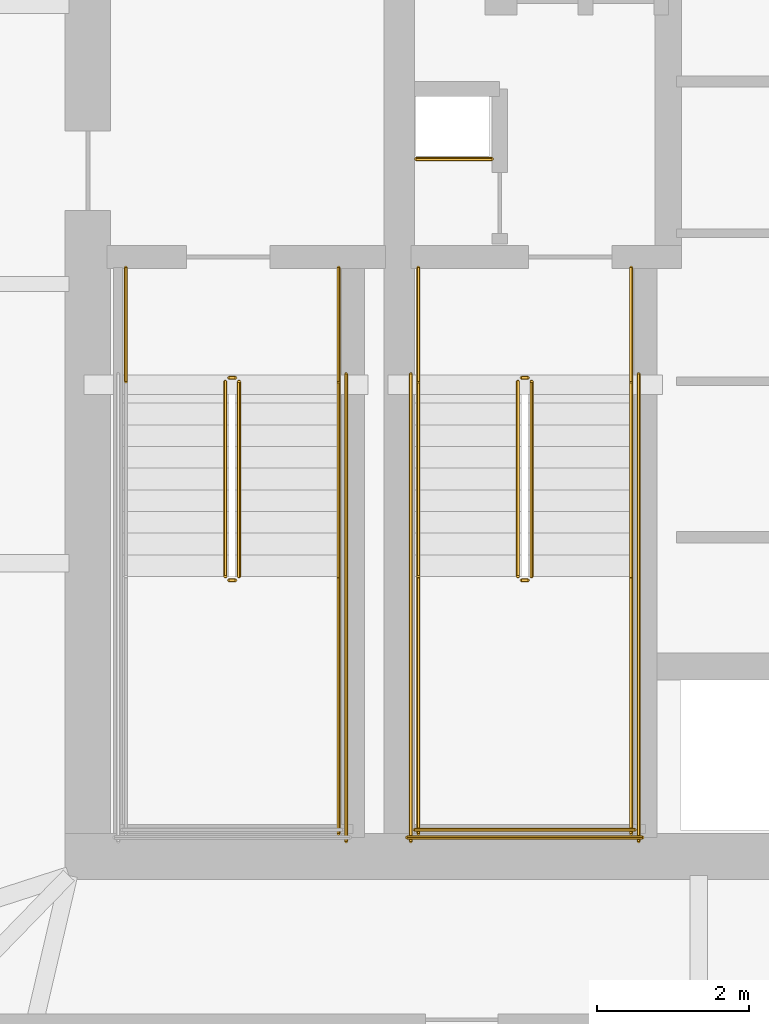
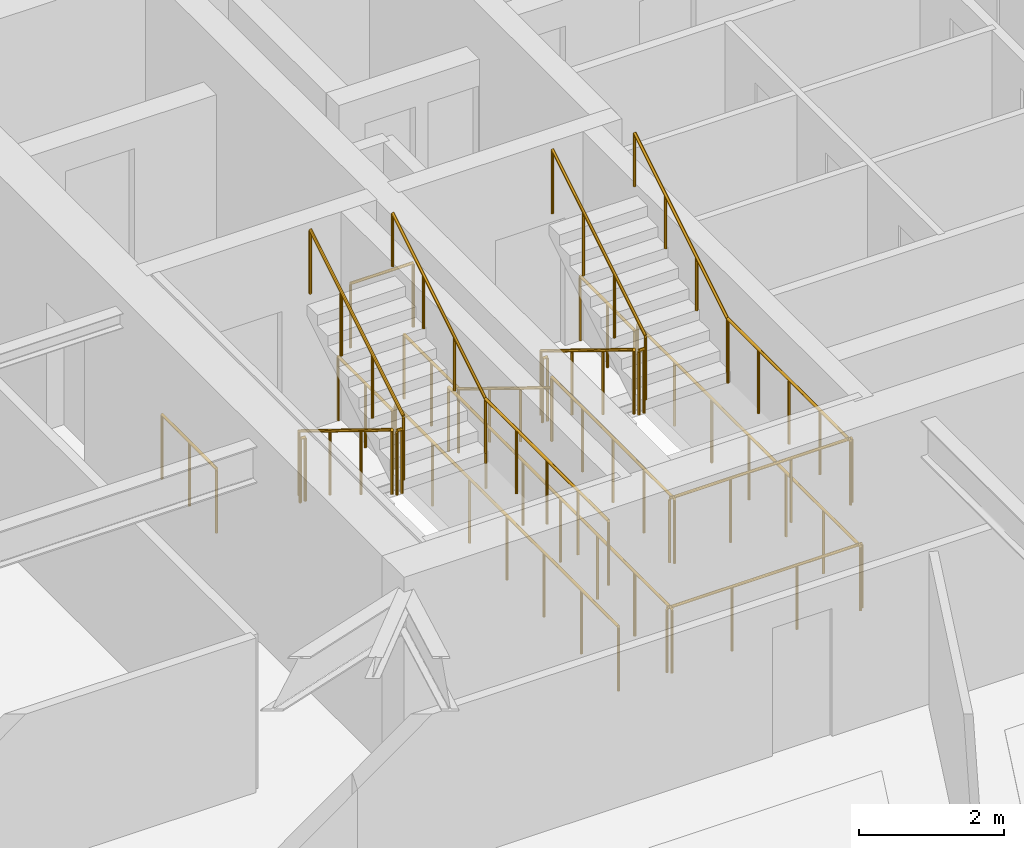
# One storey, part 21 of 23: 24 railings.
"""IFC4 building model written with IfcOpenShell, lengths in metres."""

from ifc_helpers import new_model, si_unit, direction, frame, origin, origin_2d, place, context, subcontext, project, spatial, circle, extrude, material, type_object, element, save


model = new_model("IFC4")

# Units and contexts
model_context = context("Model", 3, precision=1e-05, world=origin(), true_north=direction((0.0, 1.0)))
body_context = subcontext(model_context, "Body", "Model", "MODEL_VIEW")
ifc_project = project(units=[si_unit("LENGTHUNIT", "METRE"), si_unit("AREAUNIT", "SQUARE_METRE"), si_unit("VOLUMEUNIT", "CUBIC_METRE"), si_unit("PLANEANGLEUNIT", "RADIAN"), si_unit("MASSUNIT", "GRAM", prefix="KILO")], contexts=[model_context])

# Site, building, storey
site_placement = place(None, origin())
site = spatial("IfcSite", under=ifc_project, at=site_placement, CompositionType="ELEMENT")
building_placement = place(site_placement, origin())
building = spatial("IfcBuilding", under=site, at=building_placement, Name="Bramvorn Convention Spire", CompositionType="ELEMENT")
storey_placement = place(building_placement, frame((0.0, 0.0, 65.89990234375)))
storey = spatial("IfcBuildingStorey", under=building, at=storey_placement, Name="L14", CompositionType="ELEMENT", Elevation=65.89990234375)

# Railings
ifc_material_1 = material(Name="Painted Steel Balustrade & Guardrail", Category="steel")
railing_type_1 = type_object("IfcRailingType", Name="RL-STAIR-GUARD-1100", PredefinedType="GUARDRAIL", material=ifc_material_1)
railing_1_placement = place(storey_placement, frame((28.81005859375, 25.050048828125, 0.175048828125)))
element("IfcRailing", 1, at=railing_1_placement, inside=storey, type_object=railing_type_1, Name="L14 ST1 stair guard 1", PredefinedType="GUARDRAIL", context=body_context, shape_type="SweptSolid", body=[
    extrude(circle(Radius=0.02392578125, at=origin_2d()), frame((0.0, 0.0, 1.076171875), z_axis=(0.0, -0.852173129349, 0.523259933127), x_axis=(1.0, 0.0, 0.0)), (0.0, 0.0, 1.0), 3.009765625),
    extrude(circle(Radius=0.02099609375, at=origin_2d()), origin(), (0.0, 0.0, 1.0), 1.052001953125),
    extrude(circle(Radius=0.02099609375, at=origin_2d()), frame((0.0, -0.85498046875, 0.52490234375)), (0.0, 0.0, 1.0), 1.052001953125),
    extrude(circle(Radius=0.02099609375, at=origin_2d()), frame((0.0, -1.7099609375, 1.050048828125)), (0.0, 0.0, 1.0), 1.052001953125),
    extrude(circle(Radius=0.02099609375, at=origin_2d()), frame((0.0, -2.56494140625, 1.574951171875)), (0.0, 0.0, 1.0), 1.052001953125),
])
railing_2_placement = place(storey_placement, frame((28.860107421875, 22.43505859375, 1.75)))
element("IfcRailing", 2, at=railing_2_placement, inside=storey, type_object=railing_type_1, Name="L14 ST1 stair guard 2", PredefinedType="GUARDRAIL", context=body_context, shape_type="SweptSolid", body=[
    extrude(circle(Radius=0.02392578125, at=origin_2d()), frame((0.0, 0.0, 1.076171875), z_axis=(1.0, 0.0, 0.0), x_axis=(0.0, 1.0, 0.0)), (0.0, 0.0, 1.0), 0.079833984375),
    extrude(circle(Radius=0.02099609375, at=origin_2d()), origin(), (0.0, 0.0, 1.0), 1.052001953125),
    extrude(circle(Radius=0.02099609375, at=origin_2d()), frame((0.079833984375, 0.0, 0.0)), (0.0, 0.0, 1.0), 1.052001953125),
])
railing_3_placement = place(storey_placement, frame((30.300048828125, 22.485107421875, 1.75)))
element("IfcRailing", 3, at=railing_3_placement, inside=storey, type_object=railing_type_1, Name="L14 ST1 stair guard 4", PredefinedType="GUARDRAIL", context=body_context, shape_type="SweptSolid", body=[
    extrude(circle(Radius=0.02392578125, at=origin_2d()), frame((0.0, 0.0, 1.076171875), z_axis=(0.0, -1.0, 0.0), x_axis=(1.0, 0.0, 0.0)), (0.0, 0.0, 1.0), 3.385009765625),
    extrude(circle(Radius=0.02099609375, at=origin_2d()), origin(), (0.0, 0.0, 1.0), 1.052001953125),
    extrude(circle(Radius=0.02099609375, at=origin_2d()), frame((0.0, -0.84619140625, 0.0)), (0.0, 0.0, 1.0), 1.052001953125),
    extrude(circle(Radius=0.02099609375, at=origin_2d()), frame((0.0, -1.6923828125, 0.0)), (0.0, 0.0, 1.0), 1.052001953125),
    extrude(circle(Radius=0.02099609375, at=origin_2d()), frame((0.0, -2.538818359375, 0.0)), (0.0, 0.0, 1.0), 1.052001953125),
    extrude(circle(Radius=0.02099609375, at=origin_2d()), frame((0.0, -3.385009765625, 0.0)), (0.0, 0.0, 1.0), 1.052001953125),
])
railing_4_placement = place(storey_placement, frame((28.989990234375, 22.485107421875, 1.925048828125)))
element("IfcRailing", 4, at=railing_4_placement, inside=storey, type_object=railing_type_1, Name="L14 ST1 stair guard 6", PredefinedType="GUARDRAIL", context=body_context, shape_type="SweptSolid", body=[
    extrude(circle(Radius=0.02392578125, at=origin_2d()), frame((0.0, 0.0, 1.076171875), z_axis=(0.0, 0.852173129349, 0.523259933127), x_axis=(-1.0, 0.0, 0.0)), (0.0, 0.0, 1.0), 3.009765625),
    extrude(circle(Radius=0.02099609375, at=origin_2d()), origin(), (0.0, 0.0, 1.0), 1.052001953125),
    extrude(circle(Radius=0.02099609375, at=origin_2d()), frame((0.0, 0.85498046875, 0.52490234375)), (0.0, 0.0, 1.0), 1.052001953125),
    extrude(circle(Radius=0.02099609375, at=origin_2d()), frame((0.0, 1.7099609375, 1.050048828125)), (0.0, 0.0, 1.0), 1.052001953125),
    extrude(circle(Radius=0.02099609375, at=origin_2d()), frame((0.0, 2.56494140625, 1.574951171875)), (0.0, 0.0, 1.0), 1.052001953125),
])
railing_5_placement = place(storey_placement, frame((28.860107421875, 25.10009765625, 0.0)))
element("IfcRailing", 5, at=railing_5_placement, inside=storey, type_object=railing_type_1, Name="L14 ST1 stair guard 7", PredefinedType="GUARDRAIL", context=body_context, shape_type="SweptSolid", body=[
    extrude(circle(Radius=0.02392578125, at=origin_2d()), frame((0.0, 0.0, 1.076171875), z_axis=(1.0, 0.0, 0.0), x_axis=(0.0, 1.0, 0.0)), (0.0, 0.0, 1.0), 0.079833984375),
    extrude(circle(Radius=0.02099609375, at=origin_2d()), origin(), (0.0, 0.0, 1.0), 1.052001953125),
    extrude(circle(Radius=0.02099609375, at=origin_2d()), frame((0.079833984375, 0.0, 0.0)), (0.0, 0.0, 1.0), 1.052001953125),
])
for number, where, name in (
    (6, (27.5, 26.550048828125, 0.0), "L14 ST1 stair guard 8"),
    (7, (30.300048828125, 26.550048828125, 0.0), "L14 ST1 stair guard 9"),
):
    element("IfcRailing", number, at=place(storey_placement, frame(where)), inside=storey, type_object=railing_type_1, Name=name, PredefinedType="GUARDRAIL", context=body_context, shape_type="SweptSolid", body=[
        extrude(circle(Radius=0.02392578125, at=origin_2d()), frame((0.0, 0.0, 1.076171875), z_axis=(0.0, -1.0, 0.0), x_axis=(1.0, 0.0, 0.0)), (0.0, 0.0, 1.0), 1.5),
        extrude(circle(Radius=0.02099609375, at=origin_2d()), origin(), (0.0, 0.0, 1.0), 1.052001953125),
        extrude(circle(Radius=0.02099609375, at=origin_2d()), frame((0.0, -0.75, 0.0)), (0.0, 0.0, 1.0), 1.052001953125),
        extrude(circle(Radius=0.02099609375, at=origin_2d()), frame((0.0, -1.5, 0.0)), (0.0, 0.0, 1.0), 1.052001953125),
    ])
railing_6_placement = place(storey_placement, frame((30.39990234375, 25.14990234375, 0.0)))
element("IfcRailing", 8, at=railing_6_placement, inside=storey, type_object=railing_type_1, Name="L14 ST1 stair guard 11", PredefinedType="GUARDRAIL", context=body_context, shape_type="SweptSolid", body=[
    extrude(circle(Radius=0.02392578125, at=origin_2d()), frame((0.0, 0.0, 1.076171875), z_axis=(0.0, -1.0, 0.0), x_axis=(1.0, 0.0, 0.0)), (0.0, 0.0, 1.0), 6.14990234375),
    extrude(circle(Radius=0.02099609375, at=origin_2d()), origin(), (0.0, 0.0, 1.0), 1.052001953125),
    extrude(circle(Radius=0.02099609375, at=origin_2d()), frame((0.0, -1.02490234375, 0.0)), (0.0, 0.0, 1.0), 1.052001953125),
    extrude(circle(Radius=0.02099609375, at=origin_2d()), frame((0.0, -2.050048828125, 0.0)), (0.0, 0.0, 1.0), 1.052001953125),
    extrude(circle(Radius=0.02099609375, at=origin_2d()), frame((0.0, -3.074951171875, 0.0)), (0.0, 0.0, 1.0), 1.052001953125),
    extrude(circle(Radius=0.02099609375, at=origin_2d()), frame((0.0, -4.099853515625, 0.0)), (0.0, 0.0, 1.0), 1.052001953125),
    extrude(circle(Radius=0.02099609375, at=origin_2d()), frame((0.0, -5.125, 0.0)), (0.0, 0.0, 1.0), 1.052001953125),
    extrude(circle(Radius=0.02099609375, at=origin_2d()), frame((0.0, -6.14990234375, 0.0)), (0.0, 0.0, 1.0), 1.052001953125),
])
railing_7_placement = place(storey_placement, frame((32.659912109375, 25.050048828125, 0.175048828125)))
element("IfcRailing", 9, at=railing_7_placement, inside=storey, type_object=railing_type_1, Name="L14 ST3 stair guard 1", PredefinedType="GUARDRAIL", context=body_context, shape_type="SweptSolid", body=[
    extrude(circle(Radius=0.02392578125, at=origin_2d()), frame((0.0, 0.0, 1.076171875), z_axis=(0.0, -0.852173129349, 0.523259933127), x_axis=(1.0, 0.0, 0.0)), (0.0, 0.0, 1.0), 3.009765625),
    extrude(circle(Radius=0.02099609375, at=origin_2d()), origin(), (0.0, 0.0, 1.0), 1.052001953125),
    extrude(circle(Radius=0.02099609375, at=origin_2d()), frame((0.0, -0.85498046875, 0.52490234375)), (0.0, 0.0, 1.0), 1.052001953125),
    extrude(circle(Radius=0.02099609375, at=origin_2d()), frame((0.0, -1.7099609375, 1.050048828125)), (0.0, 0.0, 1.0), 1.052001953125),
    extrude(circle(Radius=0.02099609375, at=origin_2d()), frame((0.0, -2.56494140625, 1.574951171875)), (0.0, 0.0, 1.0), 1.052001953125),
])
railing_8_placement = place(storey_placement, frame((32.7099609375, 22.43505859375, 1.75)))
element("IfcRailing", 10, at=railing_8_placement, inside=storey, type_object=railing_type_1, Name="L14 ST3 stair guard 2", PredefinedType="GUARDRAIL", context=body_context, shape_type="SweptSolid", body=[
    extrude(circle(Radius=0.02392578125, at=origin_2d()), frame((0.0, 0.0, 1.076171875), z_axis=(1.0, 0.0, 0.0), x_axis=(0.0, 1.0, 0.0)), (0.0, 0.0, 1.0), 0.080078125),
    extrude(circle(Radius=0.02099609375, at=origin_2d()), origin(), (0.0, 0.0, 1.0), 1.052001953125),
    extrude(circle(Radius=0.02099609375, at=origin_2d()), frame((0.080078125, 0.0, 0.0)), (0.0, 0.0, 1.0), 1.052001953125),
])
for number, where, name in (
    (11, (31.35009765625, 22.485107421875, 1.75), "L14 ST3 stair guard 3"),
    (12, (34.14990234375, 22.485107421875, 1.75), "L14 ST3 stair guard 4"),
):
    element("IfcRailing", number, at=place(storey_placement, frame(where)), inside=storey, type_object=railing_type_1, Name=name, PredefinedType="GUARDRAIL", context=body_context, shape_type="SweptSolid", body=[
        extrude(circle(Radius=0.02392578125, at=origin_2d()), frame((0.0, 0.0, 1.076171875), z_axis=(0.0, -1.0, 0.0), x_axis=(1.0, 0.0, 0.0)), (0.0, 0.0, 1.0), 3.385009765625),
        extrude(circle(Radius=0.02099609375, at=origin_2d()), origin(), (0.0, 0.0, 1.0), 1.052001953125),
        extrude(circle(Radius=0.02099609375, at=origin_2d()), frame((0.0, -0.84619140625, 0.0)), (0.0, 0.0, 1.0), 1.052001953125),
        extrude(circle(Radius=0.02099609375, at=origin_2d()), frame((0.0, -1.6923828125, 0.0)), (0.0, 0.0, 1.0), 1.052001953125),
        extrude(circle(Radius=0.02099609375, at=origin_2d()), frame((0.0, -2.538818359375, 0.0)), (0.0, 0.0, 1.0), 1.052001953125),
        extrude(circle(Radius=0.02099609375, at=origin_2d()), frame((0.0, -3.385009765625, 0.0)), (0.0, 0.0, 1.0), 1.052001953125),
    ])
railing_9_placement = place(storey_placement, frame((31.300048828125, 19.14990234375, 1.75)))
element("IfcRailing", 13, at=railing_9_placement, inside=storey, type_object=railing_type_1, Name="L14 ST3 stair guard 5", PredefinedType="GUARDRAIL", context=body_context, shape_type="SweptSolid", body=[
    extrude(circle(Radius=0.02392578125, at=origin_2d()), frame((0.0, 0.0, 1.076171875), z_axis=(1.0, 0.0, 0.0), x_axis=(0.0, 1.0, 0.0)), (0.0, 0.0, 1.0), 2.89990234375),
    extrude(circle(Radius=0.02099609375, at=origin_2d()), origin(), (0.0, 0.0, 1.0), 1.052001953125),
    extrude(circle(Radius=0.02099609375, at=origin_2d()), frame((0.966552734375, 0.0, 0.0)), (0.0, 0.0, 1.0), 1.052001953125),
    extrude(circle(Radius=0.02099609375, at=origin_2d()), frame((1.933349609375, 0.0, 0.0)), (0.0, 0.0, 1.0), 1.052001953125),
    extrude(circle(Radius=0.02099609375, at=origin_2d()), frame((2.89990234375, 0.0, 0.0)), (0.0, 0.0, 1.0), 1.052001953125),
])
railing_10_placement = place(storey_placement, frame((32.840087890625, 22.485107421875, 1.925048828125)))
element("IfcRailing", 14, at=railing_10_placement, inside=storey, type_object=railing_type_1, Name="L14 ST3 stair guard 6", PredefinedType="GUARDRAIL", context=body_context, shape_type="SweptSolid", body=[
    extrude(circle(Radius=0.02392578125, at=origin_2d()), frame((0.0, 0.0, 1.076171875), z_axis=(0.0, 0.852173129349, 0.523259933127), x_axis=(-1.0, 0.0, 0.0)), (0.0, 0.0, 1.0), 3.009765625),
    extrude(circle(Radius=0.02099609375, at=origin_2d()), origin(), (0.0, 0.0, 1.0), 1.052001953125),
    extrude(circle(Radius=0.02099609375, at=origin_2d()), frame((0.0, 0.85498046875, 0.52490234375)), (0.0, 0.0, 1.0), 1.052001953125),
    extrude(circle(Radius=0.02099609375, at=origin_2d()), frame((0.0, 1.7099609375, 1.050048828125)), (0.0, 0.0, 1.0), 1.052001953125),
    extrude(circle(Radius=0.02099609375, at=origin_2d()), frame((0.0, 2.56494140625, 1.574951171875)), (0.0, 0.0, 1.0), 1.052001953125),
])
railing_11_placement = place(storey_placement, frame((32.7099609375, 25.10009765625, 0.0)))
element("IfcRailing", 15, at=railing_11_placement, inside=storey, type_object=railing_type_1, Name="L14 ST3 stair guard 7", PredefinedType="GUARDRAIL", context=body_context, shape_type="SweptSolid", body=[
    extrude(circle(Radius=0.02392578125, at=origin_2d()), frame((0.0, 0.0, 1.076171875), z_axis=(1.0, 0.0, 0.0), x_axis=(0.0, 1.0, 0.0)), (0.0, 0.0, 1.0), 0.080078125),
    extrude(circle(Radius=0.02099609375, at=origin_2d()), origin(), (0.0, 0.0, 1.0), 1.052001953125),
    extrude(circle(Radius=0.02099609375, at=origin_2d()), frame((0.080078125, 0.0, 0.0)), (0.0, 0.0, 1.0), 1.052001953125),
])
for number, where, name in (
    (16, (31.35009765625, 26.550048828125, 0.0), "L14 ST3 stair guard 8"),
    (17, (34.14990234375, 26.550048828125, 0.0), "L14 ST3 stair guard 9"),
):
    element("IfcRailing", number, at=place(storey_placement, frame(where)), inside=storey, type_object=railing_type_1, Name=name, PredefinedType="GUARDRAIL", context=body_context, shape_type="SweptSolid", body=[
        extrude(circle(Radius=0.02392578125, at=origin_2d()), frame((0.0, 0.0, 1.076171875), z_axis=(0.0, -1.0, 0.0), x_axis=(1.0, 0.0, 0.0)), (0.0, 0.0, 1.0), 1.5),
        extrude(circle(Radius=0.02099609375, at=origin_2d()), origin(), (0.0, 0.0, 1.0), 1.052001953125),
        extrude(circle(Radius=0.02099609375, at=origin_2d()), frame((0.0, -0.75, 0.0)), (0.0, 0.0, 1.0), 1.052001953125),
        extrude(circle(Radius=0.02099609375, at=origin_2d()), frame((0.0, -1.5, 0.0)), (0.0, 0.0, 1.0), 1.052001953125),
    ])
for number, where, name in (
    (18, (31.25, 25.14990234375, 0.0), "L14 ST3 stair guard 10"),
    (19, (34.25, 25.14990234375, 0.0), "L14 ST3 stair guard 11"),
):
    element("IfcRailing", number, at=place(storey_placement, frame(where)), inside=storey, type_object=railing_type_1, Name=name, PredefinedType="GUARDRAIL", context=body_context, shape_type="SweptSolid", body=[
        extrude(circle(Radius=0.02392578125, at=origin_2d()), frame((0.0, 0.0, 1.076171875), z_axis=(0.0, -1.0, 0.0), x_axis=(1.0, 0.0, 0.0)), (0.0, 0.0, 1.0), 6.14990234375),
        extrude(circle(Radius=0.02099609375, at=origin_2d()), origin(), (0.0, 0.0, 1.0), 1.052001953125),
        extrude(circle(Radius=0.02099609375, at=origin_2d()), frame((0.0, -1.02490234375, 0.0)), (0.0, 0.0, 1.0), 1.052001953125),
        extrude(circle(Radius=0.02099609375, at=origin_2d()), frame((0.0, -2.050048828125, 0.0)), (0.0, 0.0, 1.0), 1.052001953125),
        extrude(circle(Radius=0.02099609375, at=origin_2d()), frame((0.0, -3.074951171875, 0.0)), (0.0, 0.0, 1.0), 1.052001953125),
        extrude(circle(Radius=0.02099609375, at=origin_2d()), frame((0.0, -4.099853515625, 0.0)), (0.0, 0.0, 1.0), 1.052001953125),
        extrude(circle(Radius=0.02099609375, at=origin_2d()), frame((0.0, -5.125, 0.0)), (0.0, 0.0, 1.0), 1.052001953125),
        extrude(circle(Radius=0.02099609375, at=origin_2d()), frame((0.0, -6.14990234375, 0.0)), (0.0, 0.0, 1.0), 1.052001953125),
    ])
railing_12_placement = place(storey_placement, frame((31.199951171875, 19.050048828125, 0.0)))
element("IfcRailing", 20, at=railing_12_placement, inside=storey, type_object=railing_type_1, Name="L14 ST3 stair guard 12", PredefinedType="GUARDRAIL", context=body_context, shape_type="SweptSolid", body=[
    extrude(circle(Radius=0.02392578125, at=origin_2d()), frame((0.0, 0.0, 1.076171875), z_axis=(1.0, 0.0, 0.0), x_axis=(0.0, 1.0, 0.0)), (0.0, 0.0, 1.0), 3.10009765625),
    extrude(circle(Radius=0.02099609375, at=origin_2d()), origin(), (0.0, 0.0, 1.0), 1.052001953125),
    extrude(circle(Radius=0.02099609375, at=origin_2d()), frame((1.033447265625, 0.0, 0.0)), (0.0, 0.0, 1.0), 1.052001953125),
    extrude(circle(Radius=0.02099609375, at=origin_2d()), frame((2.066650390625, 0.0, 0.0)), (0.0, 0.0, 1.0), 1.052001953125),
    extrude(circle(Radius=0.02099609375, at=origin_2d()), frame((3.10009765625, 0.0, 0.0)), (0.0, 0.0, 1.0), 1.052001953125),
])
railing_13_placement = place(storey_placement, frame((31.320068359375, 27.97998046875, 0.0)))
element("IfcRailing", 21, at=railing_13_placement, inside=storey, type_object=railing_type_1, Name="L14 Telecom riser shaft opening safety guardrail", PredefinedType="GUARDRAIL", context=body_context, shape_type="SweptSolid", body=[
    extrude(circle(Radius=0.02392578125, at=origin_2d()), frame((0.0, 0.0, 1.076171875), z_axis=(1.0, 0.0, 0.0), x_axis=(0.0, 1.0, 0.0)), (0.0, 0.0, 1.0), 1.0),
    extrude(circle(Radius=0.02099609375, at=origin_2d()), origin(), (0.0, 0.0, 1.0), 1.052001953125),
    extrude(circle(Radius=0.02099609375, at=origin_2d()), frame((1.0, 0.0, 0.0)), (0.0, 0.0, 1.0), 1.052001953125),
])
ifc_material_2 = material(Name="Brushed Bronze Tubular Handrail", Category="aluminium")
railing_type_2 = type_object("IfcRailingType", Name="RL-STAIR-HR-920", PredefinedType="HANDRAIL", material=ifc_material_2)
railing_14_placement = place(storey_placement, frame((30.300048828125, 22.485107421875, 1.925048828125)))
element("IfcRailing", 22, at=railing_14_placement, inside=storey, type_object=railing_type_2, Name="L14 ST1 stair handrail 2", PredefinedType="HANDRAIL", context=body_context, shape_type="SweptSolid", body=[
    extrude(circle(Radius=0.02392578125, at=origin_2d()), frame((0.0, 0.0, 0.89599609375), z_axis=(0.0, 0.852173129349, 0.523259933127), x_axis=(-1.0, 0.0, 0.0)), (0.0, 0.0, 1.0), 3.009765625),
    extrude(circle(Radius=0.02099609375, at=origin_2d()), origin(), (0.0, 0.0, 1.0), 0.871826171875),
    extrude(circle(Radius=0.02099609375, at=origin_2d()), frame((0.0, 0.85498046875, 0.52490234375)), (0.0, 0.0, 1.0), 0.871826171875),
    extrude(circle(Radius=0.02099609375, at=origin_2d()), frame((0.0, 1.7099609375, 1.050048828125)), (0.0, 0.0, 1.0), 0.871826171875),
    extrude(circle(Radius=0.02099609375, at=origin_2d()), frame((0.0, 2.56494140625, 1.574951171875)), (0.0, 0.0, 1.0), 0.871826171875),
])
railing_15_placement = place(storey_placement, frame((31.35009765625, 25.050048828125, 0.175048828125)))
element("IfcRailing", 23, at=railing_15_placement, inside=storey, type_object=railing_type_2, Name="L14 ST3 stair handrail 1", PredefinedType="HANDRAIL", context=body_context, shape_type="SweptSolid", body=[
    extrude(circle(Radius=0.02392578125, at=origin_2d()), frame((0.0, 0.0, 0.89599609375), z_axis=(0.0, -0.852173129349, 0.523259933127), x_axis=(1.0, 0.0, 0.0)), (0.0, 0.0, 1.0), 3.009765625),
    extrude(circle(Radius=0.02099609375, at=origin_2d()), origin(), (0.0, 0.0, 1.0), 0.871826171875),
    extrude(circle(Radius=0.02099609375, at=origin_2d()), frame((0.0, -0.85498046875, 0.52490234375)), (0.0, 0.0, 1.0), 0.871826171875),
    extrude(circle(Radius=0.02099609375, at=origin_2d()), frame((0.0, -1.7099609375, 1.050048828125)), (0.0, 0.0, 1.0), 0.871826171875),
    extrude(circle(Radius=0.02099609375, at=origin_2d()), frame((0.0, -2.56494140625, 1.574951171875)), (0.0, 0.0, 1.0), 0.871826171875),
])
railing_16_placement = place(storey_placement, frame((34.14990234375, 22.485107421875, 1.925048828125)))
element("IfcRailing", 24, at=railing_16_placement, inside=storey, type_object=railing_type_2, Name="L14 ST3 stair handrail 2", PredefinedType="HANDRAIL", context=body_context, shape_type="SweptSolid", body=[
    extrude(circle(Radius=0.02392578125, at=origin_2d()), frame((0.0, 0.0, 0.89599609375), z_axis=(0.0, 0.852173129349, 0.523259933127), x_axis=(-1.0, 0.0, 0.0)), (0.0, 0.0, 1.0), 3.009765625),
    extrude(circle(Radius=0.02099609375, at=origin_2d()), origin(), (0.0, 0.0, 1.0), 0.871826171875),
    extrude(circle(Radius=0.02099609375, at=origin_2d()), frame((0.0, 0.85498046875, 0.52490234375)), (0.0, 0.0, 1.0), 0.871826171875),
    extrude(circle(Radius=0.02099609375, at=origin_2d()), frame((0.0, 1.7099609375, 1.050048828125)), (0.0, 0.0, 1.0), 0.871826171875),
    extrude(circle(Radius=0.02099609375, at=origin_2d()), frame((0.0, 2.56494140625, 1.574951171875)), (0.0, 0.0, 1.0), 0.871826171875),
])

save(model, "model.ifc")
